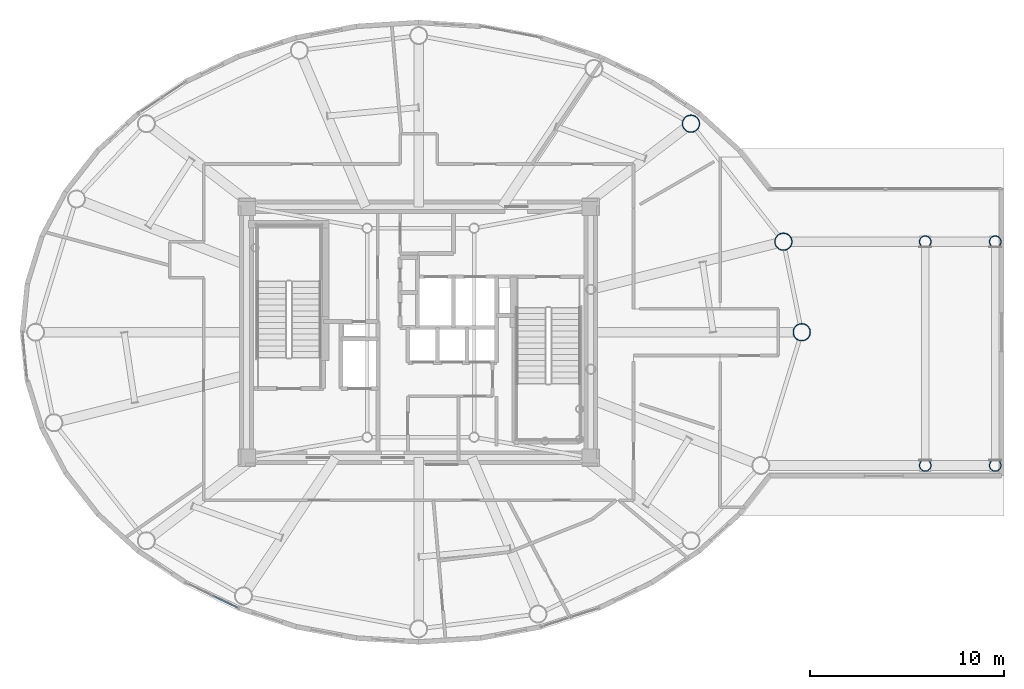
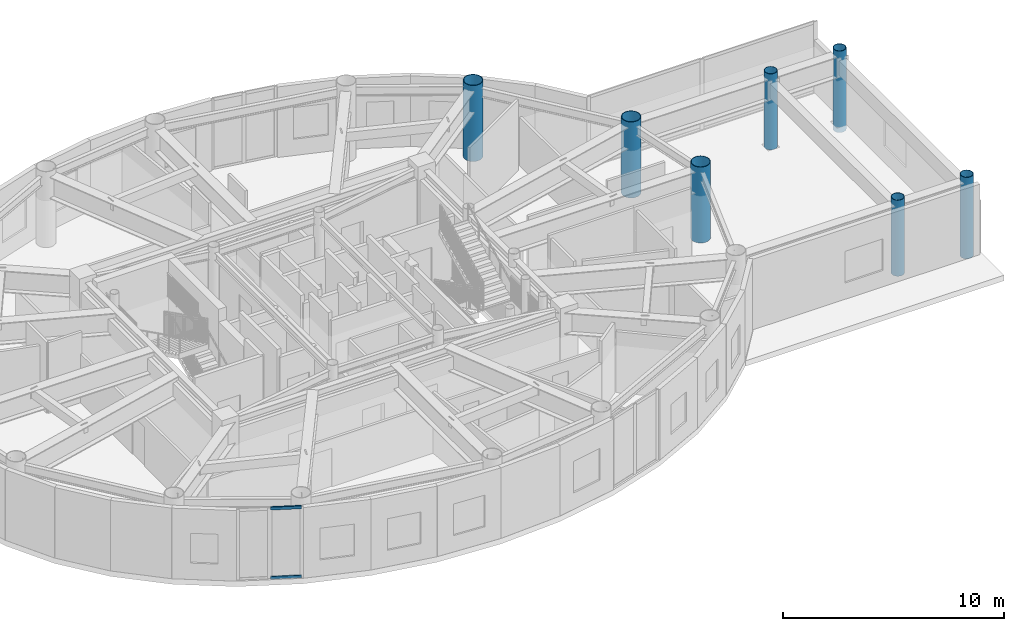
# One storey, part 2 of 26: 7 columns, 2 members, 1 element without a shape of its own.
"""IFC4 building model written with IfcOpenShell, lengths in metres."""

from ifc_helpers import new_model, si_unit, direction, frame, origin, origin_2d, place, context, subcontext, project, spatial, hollow_rectangle, hollow_circle, extrude, source, transform, mapped, material, layer, layer_set, material_profile, profile_set, type_object, element, aggregate, save


model = new_model("IFC4")

# Units and contexts
model_context = context("Model", 3, precision=1e-05, world=origin(), true_north=direction((0.0, 1.0)))
body_context = subcontext(model_context, "Body", "Model", "MODEL_VIEW")
ifc_project = project(units=[si_unit("LENGTHUNIT", "METRE"), si_unit("AREAUNIT", "SQUARE_METRE"), si_unit("VOLUMEUNIT", "CUBIC_METRE"), si_unit("PLANEANGLEUNIT", "RADIAN"), si_unit("MASSUNIT", "GRAM", prefix="KILO")], contexts=[model_context])

# Site, building, storey
site_placement = place(None, origin())
site = spatial("IfcSite", under=ifc_project, at=site_placement, CompositionType="ELEMENT")
building_placement = place(site_placement, origin())
building = spatial("IfcBuilding", under=site, at=building_placement, Name="Linh Dai School and Residence Tower", CompositionType="ELEMENT")
storey_placement = place(building_placement, frame((0.0, 0.0, 346.800048828125)))
storey = spatial("IfcBuildingStorey", under=building, at=storey_placement, Name="L86", CompositionType="ELEMENT", Elevation=346.800048828125)

# Columns
ifc_material_1 = material(Name="Structural Steel S355JR", Category="steel")
ifc_material_profile_1 = material_profile(ifc_material_1, hollow_circle(Radius=0.449951171875, WallThickness=0.028076171875, at=origin_2d()), Name="CHS 900x28")
ifc_profile_set_1 = profile_set([ifc_material_profile_1], Name="Structural Steel S355JR")
column_type_1 = type_object("IfcColumnType", Name="COL-MC7", PredefinedType="COLUMN", material=ifc_profile_set_1)
for number, where, z_axis, x_axis, name in (
    (1, (55.699951171875, 27.0, 0.0), (0.0, 0.0, 1.0), (1.0, 0.0, 0.0), "L86 Perimeter CFT Mega-Column MC01"),
    (2, (54.7578125, 31.65478515625, 0.0), (0.0, 0.0, 1.0), (1.0, 0.0, 0.0), "L86 Perimeter CFT Mega-Column MC02"),
    (3, (50.00244140625, 37.72265625, 0.0), (0.0, 0.0, 1.0), (1.0, 0.0, 0.0), "L86 Perimeter CFT Mega-Column MC03"),
):
    element("IfcColumn", number, at=place(storey_placement, frame(where, z_axis=z_axis, x_axis=x_axis)), inside=storey, type_object=column_type_1, Name=name, PredefinedType="COLUMN", context=body_context, shape_type="SweptSolid", body=[
        extrude(hollow_circle(Radius=0.449951171875, WallThickness=0.028076171875, at=origin_2d()), origin(), (0.0, 0.0, 1.0), 4.199951171875),
    ])
ifc_material_profile_2 = material_profile(ifc_material_1, hollow_circle(Radius=0.304931640625, WallThickness=0.02490234375, at=origin_2d()), Name="CHS 610x25")
ifc_profile_set_2 = profile_set([ifc_material_profile_2], Name="Structural Steel S355JR")
column_type_2 = type_object("IfcColumnType", Name="COL-SLC", PredefinedType="COLUMN", material=ifc_profile_set_2)
column_1_placement = place(storey_placement, frame((62.050048828125, 20.1474609375, 0.0), z_axis=(0.0, 0.0, 1.0), x_axis=(1.0, 0.0, 0.0)))
element("IfcColumn", 4, at=column_1_placement, inside=storey, type_object=column_type_2, Name="L86 Sky-Lounge Vierendeel Column SLC1", PredefinedType="COLUMN", context=body_context, shape_type="SweptSolid", body=[
    extrude(hollow_circle(Radius=0.304931640625, WallThickness=0.02490234375, at=origin_2d()), origin(), (0.0, 0.0, 1.0), 4.199951171875),
])
column_2_placement = place(storey_placement, frame((65.64990234375, 20.1474609375, -0.300048828125), z_axis=(0.0, 0.0, 1.0), x_axis=(1.0, 0.0, 0.0)))
element("IfcColumn", 5, at=column_2_placement, inside=storey, type_object=column_type_2, Name="L86 Sky-Lounge Vierendeel Column SLC3", PredefinedType="COLUMN", context=body_context, shape_type="SweptSolid", body=[
    extrude(hollow_circle(Radius=0.304931640625, WallThickness=0.02490234375, at=origin_2d()), origin(), (0.0, 0.0, 1.0), 4.5),
])
column_3_placement = place(storey_placement, frame((62.050048828125, 31.65478515625, 0.0), z_axis=(0.0, 0.0, 1.0), x_axis=(1.0, 0.0, 0.0)))
element("IfcColumn", 6, at=column_3_placement, inside=storey, type_object=column_type_2, Name="L86 Sky-Lounge Vierendeel Column SLC2", PredefinedType="COLUMN", context=body_context, shape_type="SweptSolid", body=[
    extrude(hollow_circle(Radius=0.304931640625, WallThickness=0.02490234375, at=origin_2d()), origin(), (0.0, 0.0, 1.0), 4.199951171875),
])
column_4_placement = place(storey_placement, frame((65.64990234375, 31.65478515625, -0.300048828125), z_axis=(0.0, 0.0, 1.0), x_axis=(1.0, 0.0, 0.0)))
element("IfcColumn", 7, at=column_4_placement, inside=storey, type_object=column_type_2, Name="L86 Sky-Lounge Vierendeel Column SLC4", PredefinedType="COLUMN", context=body_context, shape_type="SweptSolid", body=[
    extrude(hollow_circle(Radius=0.304931640625, WallThickness=0.02490234375, at=origin_2d()), origin(), (0.0, 0.0, 1.0), 4.5),
])

# Curtain wall, members
ifc_material_2 = material(Name="Aluminium Anodised Curtain Wall", Category="aluminium")
ifc_layer = layer(ifc_material_2, 0.199951171875)
ifc_layer_set = layer_set([ifc_layer], Name="Aluminium Anodised Curtain Wall")
curtain_wall_type = type_object("IfcCurtainWallType", Name="CW-SYS-6", PredefinedType="USERDEFINED", material=ifc_layer_set)
curtain_wall_placement = place(storey_placement, origin())
curtain_wall = element("IfcCurtainWall", 8, at=curtain_wall_placement, inside=storey, type_object=curtain_wall_type, Name="L86 CW6 Curtain Wall 27", ObjectType="UNITISED CURTAIN WALL", PredefinedType="USERDEFINED")
ifc_material_3 = material(Name="Aluminium Alloy 6063-T6", Category="aluminium")
ifc_material_profile_3 = material_profile(ifc_material_3, hollow_rectangle(XDim=0.074951171875, YDim=0.159912109375, WallThickness=0.00390625, at=origin_2d()), Name="RHS 160x75x4")
ifc_profile_set_3 = profile_set([ifc_material_profile_3], Name="Aluminium Alloy 6063-T6")
member_type = type_object("IfcMemberType", Name="CW-SYS-6-TRN", PredefinedType="USERDEFINED", material=ifc_profile_set_3)
shared_shape = source(origin(), body_context, "Body", "SweptSolid", [
    extrude(hollow_rectangle(XDim=0.074951171875, YDim=0.159912109375, WallThickness=0.00390625, at=origin_2d()), origin(), (0.0, 0.0, 1.0), 1.39990234375),
])
member_1_placement = place(storey_placement, frame((26.671875, 12.843505859375, 0.037353515625), z_axis=(-0.901563871495, 0.432646028081, 0.0), x_axis=(-0.432646028081, -0.901563871495, 0.0)))
member_1 = element("IfcMember", 9, at=member_1_placement, type_object=member_type, Name="CW6 transom 1.1", ObjectType="TRANSOM", PredefinedType="USERDEFINED", context=body_context, shape_type="MappedRepresentation", body=[
    mapped(shared_shape, transform((0.0, 0.0, 0.0), x_axis=(1.0, 0.0, 0.0), y_axis=(0.0, 1.0, 0.0), z_axis=(0.0, 0.0, 1.0), scale=1.0)),
])
member_2_placement = place(storey_placement, frame((26.671875, 12.843505859375, 3.862548828125), z_axis=(-0.901563871495, 0.432646028081, 0.0), x_axis=(-0.432646028081, -0.901563871495, 0.0)))
member_2 = element("IfcMember", 10, at=member_2_placement, type_object=member_type, Name="CW6 transom 1.2", ObjectType="TRANSOM", PredefinedType="USERDEFINED", context=body_context, shape_type="MappedRepresentation", body=[
    mapped(shared_shape, transform((0.0, 0.0, 0.0), x_axis=(1.0, 0.0, 0.0), y_axis=(0.0, 1.0, 0.0), z_axis=(0.0, 0.0, 1.0), scale=1.0)),
])
aggregate(curtain_wall, [member_1, member_2])

save(model, "model.ifc")
